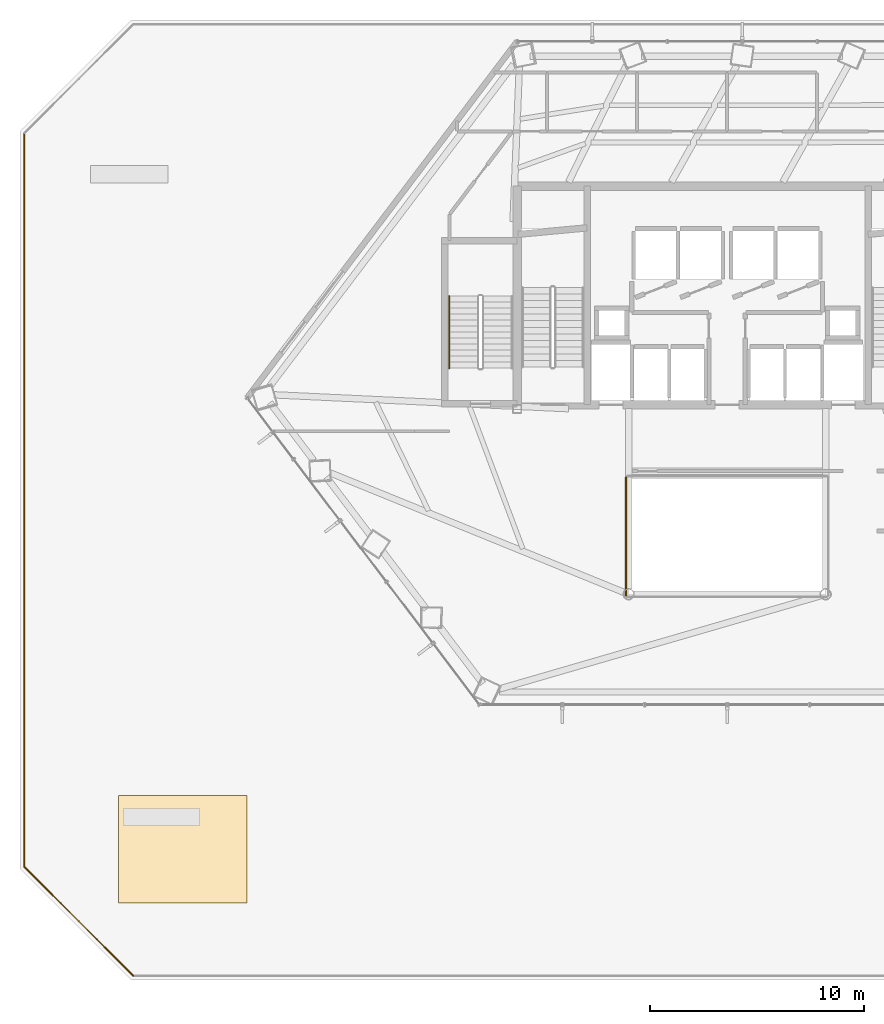
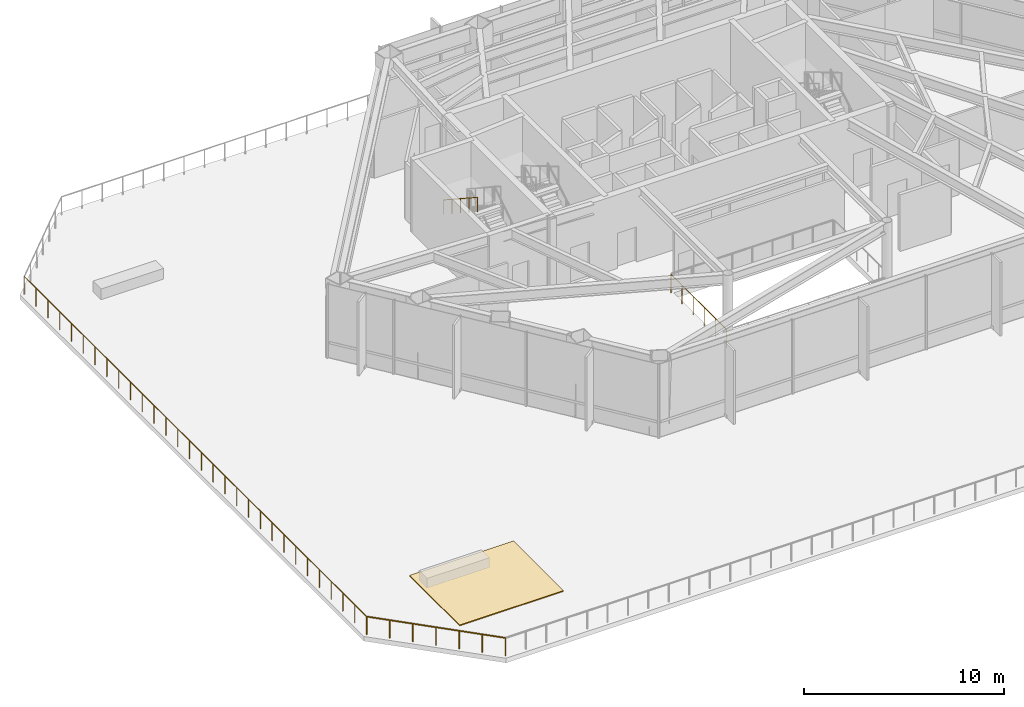
# One storey, part 24 of 30: 4 railings, 1 covering.
"""IFC4 building model written with IfcOpenShell, lengths in metres."""

from ifc_helpers import new_model, si_unit, direction, frame, origin, origin_2d, place, context, subcontext, project, spatial, polyline, circle, outline, extrude, material, layer, layer_set, type_object, element, save


model = new_model("IFC4")

# Units and contexts
model_context = context("Model", 3, precision=1e-05, world=origin(), true_north=direction((0.0, 1.0)))
body_context = subcontext(model_context, "Body", "Model", "MODEL_VIEW")
ifc_project = project(units=[si_unit("LENGTHUNIT", "METRE"), si_unit("AREAUNIT", "SQUARE_METRE"), si_unit("VOLUMEUNIT", "CUBIC_METRE"), si_unit("PLANEANGLEUNIT", "RADIAN"), si_unit("MASSUNIT", "GRAM", prefix="KILO")], contexts=[model_context])

# Site, building, storey
site_placement = place(None, origin())
site = spatial("IfcSite", under=ifc_project, at=site_placement, CompositionType="ELEMENT")
building_placement = place(site_placement, origin())
building = spatial("IfcBuilding", under=site, at=building_placement, Name="Zarrinselat Tower", CompositionType="ELEMENT")
storey_placement = place(building_placement, frame((0.0, 0.0, 22.780029296875)))
storey = spatial("IfcBuildingStorey", under=building, at=storey_placement, Name="L05", CompositionType="ELEMENT", Elevation=22.780029296875)

# Covering
ifc_material_1 = material(Name="Honed Cream Travertine Stone", Category="masonry")
ifc_layer = layer(ifc_material_1, 0.06005859375)
ifc_layer_set = layer_set([ifc_layer], Name="Honed Cream Travertine Stone")
covering_type = type_object("IfcCoveringType", Name="COV-RFG-GD60", PredefinedType="ROOFING", material=ifc_layer_set)
covering_placement = place(storey_placement, origin())
element("IfcCovering", 1, at=covering_placement, inside=storey, type_object=covering_type, Name="L05 Terrace Waterproofing Roofing Deck", PredefinedType="ROOFING", context=body_context, shape_type="SweptSolid", body=[
    extrude(outline(polyline([(10.0, 10.0), (16.0, 10.0), (16.0, 15.0), (10.0, 15.0), (10.0, 10.0)])), origin(), (0.0, 0.0, 1.0), 0.06005859375),
])

# Railings
ifc_material_2 = material(Name="Double Low-E Laminated Solar Glass", Category="glass")
railing_type_1 = type_object("IfcRailingType", Name="RLG-ATRIUM-BAL", PredefinedType="BALUSTRADE", material=ifc_material_2)
railing_1_placement = place(storey_placement, frame((33.679931640625, 29.860107421875, 0.0)))
element("IfcRailing", 2, at=railing_1_placement, inside=storey, type_object=railing_type_1, Name="L05 Atrium Void Glass Balustrade W", PredefinedType="BALUSTRADE", context=body_context, shape_type="SweptSolid", body=[
    extrude(circle(Radius=0.02392578125, at=origin_2d()), frame((0.0, 0.0, 1.1259765625), z_axis=(0.0, -1.0, 0.0), x_axis=(1.0, 0.0, 0.0)), (0.0, 0.0, 1.0), 5.52001953125),
    extrude(circle(Radius=0.02099609375, at=origin_2d()), origin(), (0.0, 0.0, 1.0), 1.099853515625),
    extrude(circle(Radius=0.02099609375, at=origin_2d()), frame((0.0, -1.10400390625, 0.0)), (0.0, 0.0, 1.0), 1.099853515625),
    extrude(circle(Radius=0.02099609375, at=origin_2d()), frame((0.0, -2.2080078125, 0.0)), (0.0, 0.0, 1.0), 1.099853515625),
    extrude(circle(Radius=0.02099609375, at=origin_2d()), frame((0.0, -3.31201171875, 0.0)), (0.0, 0.0, 1.0), 1.099853515625),
    extrude(circle(Radius=0.02099609375, at=origin_2d()), frame((0.0, -4.416015625, 0.0)), (0.0, 0.0, 1.0), 1.099853515625),
    extrude(circle(Radius=0.02099609375, at=origin_2d()), frame((0.0, -5.52001953125, 0.0)), (0.0, 0.0, 1.0), 1.099853515625),
])
ifc_material_3 = material(Name="Steel S355J2", Category="steel")
railing_type_2 = type_object("IfcRailingType", Name="RLG-STAIR-HAND", PredefinedType="HANDRAIL", material=ifc_material_3)
railing_2_placement = place(storey_placement, frame((25.429931640625, 38.31005859375, 2.56298828125)))
element("IfcRailing", 3, at=railing_2_placement, inside=storey, type_object=railing_type_2, Name="L05 ST-3 stair handrail 2", PredefinedType="HANDRAIL", context=body_context, shape_type="SweptSolid", body=[
    extrude(circle(Radius=0.02392578125, at=origin_2d()), frame((0.0, 0.0, 0.8759765625), z_axis=(0.0, -0.836966400019, 0.547254278411), x_axis=(1.0, 0.0, 0.0)), (0.0, 0.0, 1.0), 4.0146484375),
    extrude(circle(Radius=0.02099609375, at=origin_2d()), origin(), (0.0, 0.0, 1.0), 0.849853515625),
    extrude(circle(Radius=0.02099609375, at=origin_2d()), frame((0.0, -0.840087890625, 0.54931640625)), (0.0, 0.0, 1.0), 0.849853515625),
    extrude(circle(Radius=0.02099609375, at=origin_2d()), frame((0.0, -1.68017578125, 1.0986328125)), (0.0, 0.0, 1.0), 0.849853515625),
    extrude(circle(Radius=0.02099609375, at=origin_2d()), frame((0.0, -2.52001953125, 1.647705078125)), (0.0, 0.0, 1.0), 0.849853515625),
    extrude(circle(Radius=0.02099609375, at=origin_2d()), frame((0.0, -3.360107421875, 2.197021484375)), (0.0, 0.0, 1.0), 0.849853515625),
])
ifc_material_4 = material(Name="Steel S355J2", Category="steel")
railing_type_3 = type_object("IfcRailingType", Name="RLG-TERR-GUARD", PredefinedType="GUARDRAIL", material=ifc_material_4)
railing_3_placement = place(storey_placement, frame((10.682861328125, 6.60009765625, 0.0)))
element("IfcRailing", 4, at=railing_3_placement, inside=storey, type_object=railing_type_3, Name="L05 Chahar-Bagh Raised Garden Guardrail 1-1", PredefinedType="GUARDRAIL", context=body_context, shape_type="SweptSolid", body=[
    extrude(circle(Radius=0.02392578125, at=origin_2d()), frame((0.0, 0.0, 1.09619140625), z_axis=(-0.707106781187, 0.707106781187, 0.0), x_axis=(-0.707106781187, -0.707106781187, 0.0)), (0.0, 0.0, 1.0), 7.188232421875),
    extrude(circle(Radius=0.02099609375, at=origin_2d()), origin(), (0.0, 0.0, 1.0), 1.070068359375),
    extrude(circle(Radius=0.02099609375, at=origin_2d()), frame((-0.84716796875, 0.84716796875, 0.0)), (0.0, 0.0, 1.0), 1.070068359375),
    extrude(circle(Radius=0.02099609375, at=origin_2d()), frame((-1.6943359375, 1.6943359375, 0.0)), (0.0, 0.0, 1.0), 1.070068359375),
    extrude(circle(Radius=0.02099609375, at=origin_2d()), frame((-2.54150390625, 2.54150390625, 0.0)), (0.0, 0.0, 1.0), 1.070068359375),
    extrude(circle(Radius=0.02099609375, at=origin_2d()), frame((-3.388427734375, 3.388427734375, 0.0)), (0.0, 0.0, 1.0), 1.070068359375),
    extrude(circle(Radius=0.02099609375, at=origin_2d()), frame((-4.235595703125, 4.235595703125, 0.0)), (0.0, 0.0, 1.0), 1.070068359375),
    extrude(circle(Radius=0.02099609375, at=origin_2d()), frame((-5.082763671875, 5.082763671875, 0.0)), (0.0, 0.0, 1.0), 1.070068359375),
])
railing_4_placement = place(storey_placement, frame((5.60009765625, 11.682861328125, 0.0)))
element("IfcRailing", 5, at=railing_4_placement, inside=storey, type_object=railing_type_3, Name="L05 Chahar-Bagh Raised Garden Guardrail 2-1", PredefinedType="GUARDRAIL", context=body_context, shape_type="SweptSolid", body=[
    extrude(circle(Radius=0.02392578125, at=origin_2d()), frame((0.0, 0.0, 1.09619140625), z_axis=(0.0, 1.0, 0.0), x_axis=(-1.0, 0.0, 0.0)), (0.0, 0.0, 1.0), 34.234375),
    extrude(circle(Radius=0.02099609375, at=origin_2d()), origin(), (0.0, 0.0, 1.0), 1.070068359375),
    extrude(circle(Radius=0.02099609375, at=origin_2d()), frame((0.0, 1.180419921875, 0.0)), (0.0, 0.0, 1.0), 1.070068359375),
    extrude(circle(Radius=0.02099609375, at=origin_2d()), frame((0.0, 2.361083984375, 0.0)), (0.0, 0.0, 1.0), 1.070068359375),
    extrude(circle(Radius=0.02099609375, at=origin_2d()), frame((0.0, 3.54150390625, 0.0)), (0.0, 0.0, 1.0), 1.070068359375),
    extrude(circle(Radius=0.02099609375, at=origin_2d()), frame((0.0, 4.721923828125, 0.0)), (0.0, 0.0, 1.0), 1.070068359375),
    extrude(circle(Radius=0.02099609375, at=origin_2d()), frame((0.0, 5.902587890625, 0.0)), (0.0, 0.0, 1.0), 1.070068359375),
    extrude(circle(Radius=0.02099609375, at=origin_2d()), frame((0.0, 7.0830078125, 0.0)), (0.0, 0.0, 1.0), 1.070068359375),
    extrude(circle(Radius=0.02099609375, at=origin_2d()), frame((0.0, 8.263427734375, 0.0)), (0.0, 0.0, 1.0), 1.070068359375),
    extrude(circle(Radius=0.02099609375, at=origin_2d()), frame((0.0, 9.44384765625, 0.0)), (0.0, 0.0, 1.0), 1.070068359375),
    extrude(circle(Radius=0.02099609375, at=origin_2d()), frame((0.0, 10.62451171875, 0.0)), (0.0, 0.0, 1.0), 1.070068359375),
    extrude(circle(Radius=0.02099609375, at=origin_2d()), frame((0.0, 11.804931640625, 0.0)), (0.0, 0.0, 1.0), 1.070068359375),
    extrude(circle(Radius=0.02099609375, at=origin_2d()), frame((0.0, 12.9853515625, 0.0)), (0.0, 0.0, 1.0), 1.070068359375),
    extrude(circle(Radius=0.02099609375, at=origin_2d()), frame((0.0, 14.166015625, 0.0)), (0.0, 0.0, 1.0), 1.070068359375),
    extrude(circle(Radius=0.02099609375, at=origin_2d()), frame((0.0, 15.346435546875, 0.0)), (0.0, 0.0, 1.0), 1.070068359375),
    extrude(circle(Radius=0.02099609375, at=origin_2d()), frame((0.0, 16.52685546875, 0.0)), (0.0, 0.0, 1.0), 1.070068359375),
    extrude(circle(Radius=0.02099609375, at=origin_2d()), frame((0.0, 17.70751953125, 0.0)), (0.0, 0.0, 1.0), 1.070068359375),
    extrude(circle(Radius=0.02099609375, at=origin_2d()), frame((0.0, 18.887939453125, 0.0)), (0.0, 0.0, 1.0), 1.070068359375),
    extrude(circle(Radius=0.02099609375, at=origin_2d()), frame((0.0, 20.068359375, 0.0)), (0.0, 0.0, 1.0), 1.070068359375),
    extrude(circle(Radius=0.02099609375, at=origin_2d()), frame((0.0, 21.2490234375, 0.0)), (0.0, 0.0, 1.0), 1.070068359375),
    extrude(circle(Radius=0.02099609375, at=origin_2d()), frame((0.0, 22.429443359375, 0.0)), (0.0, 0.0, 1.0), 1.070068359375),
    extrude(circle(Radius=0.02099609375, at=origin_2d()), frame((0.0, 23.60986328125, 0.0)), (0.0, 0.0, 1.0), 1.070068359375),
    extrude(circle(Radius=0.02099609375, at=origin_2d()), frame((0.0, 24.79052734375, 0.0)), (0.0, 0.0, 1.0), 1.070068359375),
    extrude(circle(Radius=0.02099609375, at=origin_2d()), frame((0.0, 25.970947265625, 0.0)), (0.0, 0.0, 1.0), 1.070068359375),
    extrude(circle(Radius=0.02099609375, at=origin_2d()), frame((0.0, 27.1513671875, 0.0)), (0.0, 0.0, 1.0), 1.070068359375),
    extrude(circle(Radius=0.02099609375, at=origin_2d()), frame((0.0, 28.331787109375, 0.0)), (0.0, 0.0, 1.0), 1.070068359375),
    extrude(circle(Radius=0.02099609375, at=origin_2d()), frame((0.0, 29.512451171875, 0.0)), (0.0, 0.0, 1.0), 1.070068359375),
    extrude(circle(Radius=0.02099609375, at=origin_2d()), frame((0.0, 30.69287109375, 0.0)), (0.0, 0.0, 1.0), 1.070068359375),
    extrude(circle(Radius=0.02099609375, at=origin_2d()), frame((0.0, 31.873291015625, 0.0)), (0.0, 0.0, 1.0), 1.070068359375),
    extrude(circle(Radius=0.02099609375, at=origin_2d()), frame((0.0, 33.053955078125, 0.0)), (0.0, 0.0, 1.0), 1.070068359375),
    extrude(circle(Radius=0.02099609375, at=origin_2d()), frame((0.0, 34.234375, 0.0)), (0.0, 0.0, 1.0), 1.070068359375),
])

save(model, "model.ifc")
